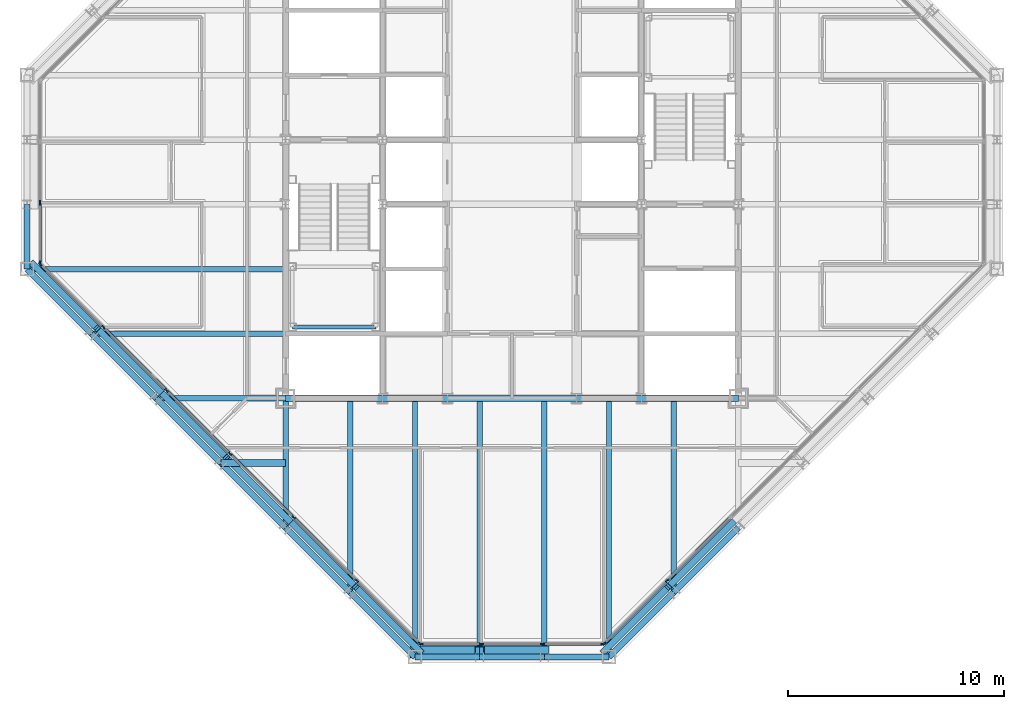
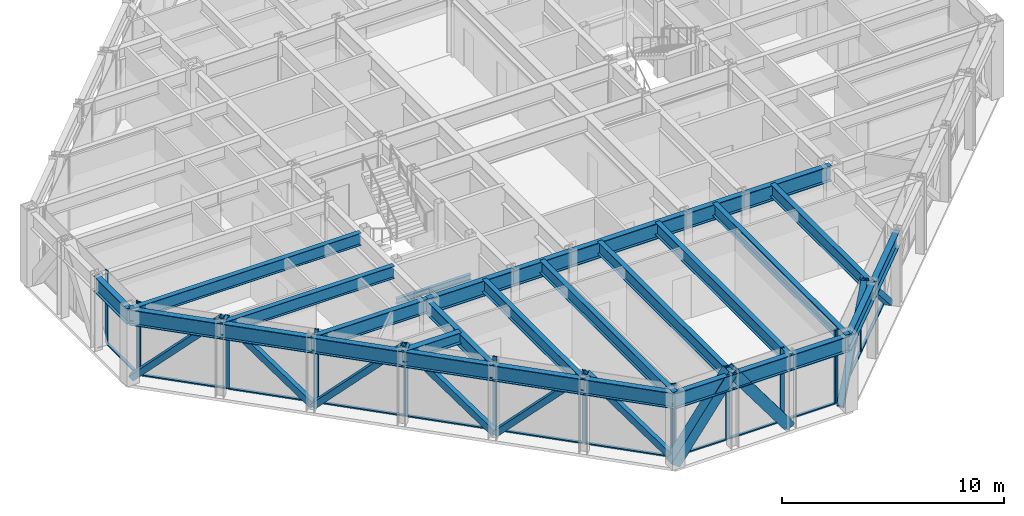
# One storey, part 5 of 15: 37 members, 29 beams, 4 elements without a shape of their own.
"""IFC4 building model written with IfcOpenShell, lengths in metres."""

from ifc_helpers import new_model, si_unit, direction, frame, origin, origin_2d, place, context, subcontext, project, spatial, rectangle, hollow_rectangle, i_section, extrude, material, layer, layer_set, material_profile, profile_set, type_object, element, aggregate, save


model = new_model("IFC4")

# Units and contexts
model_context = context("Model", 3, precision=1e-05, world=origin(), true_north=direction((0.0, 1.0)))
body_context = subcontext(model_context, "Body", "Model", "MODEL_VIEW")
ifc_project = project(units=[si_unit("LENGTHUNIT", "METRE"), si_unit("AREAUNIT", "SQUARE_METRE"), si_unit("VOLUMEUNIT", "CUBIC_METRE"), si_unit("PLANEANGLEUNIT", "RADIAN"), si_unit("MASSUNIT", "GRAM", prefix="KILO")], contexts=[model_context])

# Site, building, storey
site_placement = place(None, origin())
site = spatial("IfcSite", under=ifc_project, at=site_placement, CompositionType="ELEMENT")
building_placement = place(site_placement, origin())
building = spatial("IfcBuilding", under=site, at=building_placement, Name="Chuquiago Exchange Tower", CompositionType="ELEMENT")
storey_placement = place(building_placement, frame((0.0, 0.0, 291.60009765625)))
storey = spatial("IfcBuildingStorey", under=building, at=storey_placement, Name="L65", CompositionType="ELEMENT", Elevation=291.60009765625)

# Beams
ifc_material_1 = material(Name="Steel ASTM A992", Category="steel")
ifc_material_profile_1 = material_profile(ifc_material_1, i_section(OverallWidth=0.25390625, OverallDepth=0.683349609375, WebThickness=0.012451171875, FlangeThickness=0.018798828125, at=origin_2d()), Name="W27X94")
ifc_profile_set_1 = profile_set([ifc_material_profile_1], Name="Steel ASTM A992")
beam_type_1 = type_object("IfcBeamType", Name="B1 W27X94", PredefinedType="BEAM", material=ifc_profile_set_1)
beam_1_placement = place(storey_placement, frame((15.0, 12.0, 3.6982421875), z_axis=(0.0, -1.0, 0.0), x_axis=(1.0, 0.0, 0.0)))
element("IfcBeam", 1, at=beam_1_placement, inside=storey, type_object=beam_type_1, Name="FB-L66-infill-15_12-15_3-0", PredefinedType="BEAM", context=body_context, shape_type="SweptSolid", body=[
    extrude(i_section(OverallWidth=0.25390625, OverallDepth=0.683349609375, WebThickness=0.012451171875, FlangeThickness=0.018798828125, at=origin_2d()), origin(), (0.0, 0.0, 1.0), 9.0),
])
for number, where, z_axis, x_axis, name in (
    (2, (18.0, 12.0, 3.6982421875), (0.0, -1.0, 0.0), (1.0, 0.0, 0.0), "FB-L66-infill-18_12-18_-0-0"),
    (3, (21.0, 12.0, 3.6982421875), (0.0, -1.0, 0.0), (1.0, 0.0, 0.0), "FB-L66-infill-21_12-21_-0-0"),
    (4, (24.0, 12.0, 3.6982421875), (0.0, -1.0, 0.0), (1.0, 0.0, 0.0), "FB-L66-infill-24_12-24_-0-0"),
    (5, (27.0, 12.0, 3.6982421875), (0.0, -1.0, 0.0), (1.0, 0.0, 0.0), "FB-L66-infill-27_12-27_-0-0"),
):
    element("IfcBeam", number, at=place(storey_placement, frame(where, z_axis=z_axis, x_axis=x_axis)), inside=storey, type_object=beam_type_1, Name=name, PredefinedType="BEAM", context=body_context, shape_type="SweptSolid", body=[
        extrude(i_section(OverallWidth=0.25390625, OverallDepth=0.683349609375, WebThickness=0.012451171875, FlangeThickness=0.018798828125, at=origin_2d()), origin(), (0.0, 0.0, 1.0), 12.0),
    ])
for number, where, z_axis, x_axis, name in (
    (6, (30.0, 12.0, 3.6982421875), (0.0, -1.0, 0.0), (1.0, 0.0, 0.0), "FB-L66-infill-30_12-30_3-0"),
    (7, (12.0, 15.0, 3.6982421875), (-1.0, 0.0, 0.0), (0.0, -1.0, 0.0), "FB-L66-infill-12_15-3_15-0"),
):
    element("IfcBeam", number, at=place(storey_placement, frame(where, z_axis=z_axis, x_axis=x_axis)), inside=storey, type_object=beam_type_1, Name=name, PredefinedType="BEAM", context=body_context, shape_type="SweptSolid", body=[
        extrude(i_section(OverallWidth=0.25390625, OverallDepth=0.683349609375, WebThickness=0.012451171875, FlangeThickness=0.018798828125, at=origin_2d()), origin(), (0.0, 0.0, 1.0), 9.0),
    ])
beam_2_placement = place(storey_placement, frame((12.0, 18.0, 3.6982421875), z_axis=(-1.0, 0.0, 0.0), x_axis=(0.0, -1.0, 0.0)))
element("IfcBeam", 8, at=beam_2_placement, inside=storey, type_object=beam_type_1, Name="FB-L66-infill-12_18--0_18-0", PredefinedType="BEAM", context=body_context, shape_type="SweptSolid", body=[
    extrude(i_section(OverallWidth=0.25390625, OverallDepth=0.683349609375, WebThickness=0.012451171875, FlangeThickness=0.018798828125, at=origin_2d()), origin(), (0.0, 0.0, 1.0), 12.0),
])
ifc_material_2 = material(Name="Steel ASTM A992", Category="steel")
ifc_material_profile_2 = material_profile(ifc_material_2, i_section(OverallWidth=0.3251953125, OverallDepth=0.612060546875, WebThickness=0.0126953125, FlangeThickness=0.01904296875, at=origin_2d()), Name="W24X104")
ifc_profile_set_2 = profile_set([ifc_material_profile_2], Name="Steel ASTM A992")
beam_type_2 = type_object("IfcBeamType", Name="B2 W24X104", PredefinedType="BEAM", material=ifc_profile_set_2)
beam_3_placement = place(storey_placement, frame((12.0, 9.0, 3.73388671875), z_axis=(-1.0, 0.0, 0.0), x_axis=(0.0, -1.0, 0.0)))
element("IfcBeam", 9, at=beam_3_placement, inside=storey, type_object=beam_type_2, Name="FB-L66-corner-12_9-9_9-0", PredefinedType="BEAM", context=body_context, shape_type="SweptSolid", body=[
    extrude(i_section(OverallWidth=0.3251953125, OverallDepth=0.612060546875, WebThickness=0.0126953125, FlangeThickness=0.01904296875, at=origin_2d()), origin(), (0.0, 0.0, 1.0), 3.0),
])
ifc_material_3 = material(Name="Steel ASTM A992", Category="steel")
ifc_material_profile_3 = material_profile(ifc_material_3, i_section(OverallWidth=0.2919921875, OverallDepth=0.8583984375, WebThickness=0.01708984375, FlangeThickness=0.031005859375, at=origin_2d()), Name="W33X169")
ifc_profile_set_3 = profile_set([ifc_material_profile_3], Name="Steel ASTM A992")
beam_type_3 = type_object("IfcBeamType", Name="B3 W33X169", PredefinedType="BEAM", material=ifc_profile_set_3)
beam_4_placement = place(storey_placement, frame((12.0, 12.0, 3.610595703125), z_axis=(1.0, 0.0, 0.0), x_axis=(0.0, 1.0, 0.0)))
element("IfcBeam", 10, at=beam_4_placement, inside=storey, type_object=beam_type_3, Name="CB-L66-12_12-16.5_12", PredefinedType="BEAM", context=body_context, shape_type="SweptSolid", body=[
    extrude(i_section(OverallWidth=0.2919921875, OverallDepth=0.8583984375, WebThickness=0.01708984375, FlangeThickness=0.031005859375, at=origin_2d()), origin(), (0.0, 0.0, 1.0), 4.5),
])
beam_5_placement = place(storey_placement, frame((16.5, 12.0, 3.610595703125), z_axis=(1.0, 0.0, 0.0), x_axis=(0.0, 1.0, 0.0)))
element("IfcBeam", 11, at=beam_5_placement, inside=storey, type_object=beam_type_3, Name="CB-L66-16.5_12-19.5_12", PredefinedType="BEAM", context=body_context, shape_type="SweptSolid", body=[
    extrude(i_section(OverallWidth=0.2919921875, OverallDepth=0.8583984375, WebThickness=0.01708984375, FlangeThickness=0.031005859375, at=origin_2d()), origin(), (0.0, 0.0, 1.0), 3.0),
])
beam_6_placement = place(storey_placement, frame((19.5, 12.0, 3.610595703125), z_axis=(1.0, 0.0, 0.0), x_axis=(0.0, 1.0, 0.0)))
element("IfcBeam", 12, at=beam_6_placement, inside=storey, type_object=beam_type_3, Name="CB-L66-19.5_12-25.5_12", PredefinedType="BEAM", context=body_context, shape_type="SweptSolid", body=[
    extrude(i_section(OverallWidth=0.2919921875, OverallDepth=0.8583984375, WebThickness=0.01708984375, FlangeThickness=0.031005859375, at=origin_2d()), origin(), (0.0, 0.0, 1.0), 6.0),
])
beam_7_placement = place(storey_placement, frame((25.5, 12.0, 3.610595703125), z_axis=(1.0, 0.0, 0.0), x_axis=(0.0, 1.0, 0.0)))
element("IfcBeam", 13, at=beam_7_placement, inside=storey, type_object=beam_type_3, Name="CB-L66-25.5_12-28.5_12", PredefinedType="BEAM", context=body_context, shape_type="SweptSolid", body=[
    extrude(i_section(OverallWidth=0.2919921875, OverallDepth=0.8583984375, WebThickness=0.01708984375, FlangeThickness=0.031005859375, at=origin_2d()), origin(), (0.0, 0.0, 1.0), 3.0),
])
beam_8_placement = place(storey_placement, frame((28.5, 12.0, 3.610595703125), z_axis=(1.0, 0.0, 0.0), x_axis=(0.0, 1.0, 0.0)))
element("IfcBeam", 14, at=beam_8_placement, inside=storey, type_object=beam_type_3, Name="CB-L66-28.5_12-33_12", PredefinedType="BEAM", context=body_context, shape_type="SweptSolid", body=[
    extrude(i_section(OverallWidth=0.2919921875, OverallDepth=0.8583984375, WebThickness=0.01708984375, FlangeThickness=0.031005859375, at=origin_2d()), origin(), (0.0, 0.0, 1.0), 4.5),
])

# Curtain wall, members
ifc_material_4 = material(Name="Aluminium curtain wall system", Category="aluminium")
ifc_layer_1 = layer(ifc_material_4, 0.22509765625)
ifc_layer_set_1 = layer_set([ifc_layer_1], Name="CW2 office curtain wall")
curtain_wall_type_1 = type_object("IfcCurtainWallType", Name="CW2 office curtain wall", PredefinedType="NOTDEFINED", material=ifc_layer_set_1)
curtain_wall_1_placement = place(storey_placement, origin())
curtain_wall_1 = element("IfcCurtainWall", 15, at=curtain_wall_1_placement, inside=storey, type_object=curtain_wall_type_1, Name="CW2 curtain wall L65", PredefinedType="NOTDEFINED")
ifc_material_5 = material(Name="Aluminium mullion, pale anodised", Category="aluminium")
ifc_material_profile_4 = material_profile(ifc_material_5, rectangle(XDim=0.06494140625, YDim=0.22509765625, at=origin_2d()), Name="AL 65x225")
ifc_profile_set_4 = profile_set([ifc_material_profile_4], Name="Aluminium mullion, pale anodised")
member_type_1 = type_object("IfcMemberType", Name="CW2-M mullion 65x225", PredefinedType="MULLION", material=ifc_profile_set_4)
member_1_placement = place(storey_placement, frame((18.281005859375, 0.60009765625, 0.0), z_axis=(0.0, 0.0, 1.0), x_axis=(0.0, 1.0, 0.0)))
member_1 = element("IfcMember", 16, at=member_1_placement, type_object=member_type_1, Name="CW2 mullion 1", PredefinedType="MULLION", context=body_context, shape_type="SweptSolid", body=[
    extrude(rectangle(XDim=0.06494140625, YDim=0.22509765625, at=origin_2d()), origin(), (0.0, 0.0, 1.0), 4.039794921875),
])
member_2_placement = place(storey_placement, frame((21.082763671875, 0.60009765625, 0.0), z_axis=(0.0, 0.0, 1.0), x_axis=(0.0, 1.0, 0.0)))
member_2 = element("IfcMember", 17, at=member_2_placement, type_object=member_type_1, Name="CW2 mullion 2", PredefinedType="MULLION", context=body_context, shape_type="SweptSolid", body=[
    extrude(rectangle(XDim=0.06494140625, YDim=0.22509765625, at=origin_2d()), origin(), (0.0, 0.0, 1.0), 4.039794921875),
])
member_3_placement = place(storey_placement, frame((23.917236328125, 0.60009765625, 0.0), z_axis=(0.0, 0.0, 1.0), x_axis=(0.0, 1.0, 0.0)))
member_3 = element("IfcMember", 18, at=member_3_placement, type_object=member_type_1, Name="CW2 mullion 3", PredefinedType="MULLION", context=body_context, shape_type="SweptSolid", body=[
    extrude(rectangle(XDim=0.06494140625, YDim=0.22509765625, at=origin_2d()), origin(), (0.0, 0.0, 1.0), 4.039794921875),
])
member_4_placement = place(storey_placement, frame((26.718994140625, 0.60009765625, 0.0), z_axis=(0.0, 0.0, 1.0), x_axis=(0.0, 1.0, 0.0)))
member_4 = element("IfcMember", 19, at=member_4_placement, type_object=member_type_1, Name="CW2 mullion 4", PredefinedType="MULLION", context=body_context, shape_type="SweptSolid", body=[
    extrude(rectangle(XDim=0.06494140625, YDim=0.22509765625, at=origin_2d()), origin(), (0.0, 0.0, 1.0), 4.039794921875),
])

curtain_wall_2_placement = place(storey_placement, origin())
curtain_wall_2 = element("IfcCurtainWall", 20, at=curtain_wall_2_placement, inside=storey, type_object=curtain_wall_type_1, Name="CW2 curtain wall L65", PredefinedType="NOTDEFINED")
member_5_placement = place(storey_placement, frame((0.60009765625, 21.082763671875, 0.0), z_axis=(0.0, 0.0, 1.0), x_axis=(1.0, 0.0, 0.0)))
member_5 = element("IfcMember", 21, at=member_5_placement, type_object=member_type_1, Name="CW2 mullion 3", PredefinedType="MULLION", context=body_context, shape_type="SweptSolid", body=[
    extrude(rectangle(XDim=0.06494140625, YDim=0.22509765625, at=origin_2d()), origin(), (0.0, 0.0, 1.0), 4.039794921875),
])
member_6_placement = place(storey_placement, frame((0.60009765625, 18.281005859375, 0.0), z_axis=(0.0, 0.0, 1.0), x_axis=(1.0, 0.0, 0.0)))
member_6 = element("IfcMember", 22, at=member_6_placement, type_object=member_type_1, Name="CW2 mullion 4", PredefinedType="MULLION", context=body_context, shape_type="SweptSolid", body=[
    extrude(rectangle(XDim=0.06494140625, YDim=0.22509765625, at=origin_2d()), origin(), (0.0, 0.0, 1.0), 4.039794921875),
])

# Member
ifc_material_6 = material(Name="Aluminium transom, pale anodised", Category="aluminium")
ifc_material_profile_5 = material_profile(ifc_material_6, rectangle(XDim=0.139892578125, YDim=0.06494140625, at=origin_2d()), Name="AL 140x65")
ifc_profile_set_5 = profile_set([ifc_material_profile_5], Name="Aluminium transom, pale anodised")
member_type_2 = type_object("IfcMemberType", Name="CW2-T transom 65x140", PredefinedType="MULLION", material=ifc_profile_set_5)
member_7_placement = place(storey_placement, frame((18.3134765625, 0.60009765625, 0.032470703125), z_axis=(1.0, 0.0, 0.0), x_axis=(0.0, 1.0, 0.0)))
member_7 = element("IfcMember", 23, at=member_7_placement, type_object=member_type_2, Name="CW2 transom 1.1", PredefinedType="MULLION", context=body_context, shape_type="SweptSolid", body=[
    extrude(rectangle(XDim=0.139892578125, YDim=0.06494140625, at=origin_2d()), origin(), (0.0, 0.0, 1.0), 2.73681640625),
])

member_8_placement = place(storey_placement, frame((21.115234375, 0.60009765625, 0.032470703125), z_axis=(1.0, 0.0, 0.0), x_axis=(0.0, 1.0, 0.0)))
member_8 = element("IfcMember", 24, at=member_8_placement, type_object=member_type_2, Name="CW2 transom 2.1", PredefinedType="MULLION", context=body_context, shape_type="SweptSolid", body=[
    extrude(rectangle(XDim=0.139892578125, YDim=0.06494140625, at=origin_2d()), origin(), (0.0, 0.0, 1.0), 2.76953125),
])

member_9_placement = place(storey_placement, frame((23.94970703125, 0.60009765625, 0.032470703125), z_axis=(1.0, 0.0, 0.0), x_axis=(0.0, 1.0, 0.0)))
member_9 = element("IfcMember", 25, at=member_9_placement, type_object=member_type_2, Name="CW2 transom 3.1", PredefinedType="MULLION", context=body_context, shape_type="SweptSolid", body=[
    extrude(rectangle(XDim=0.139892578125, YDim=0.06494140625, at=origin_2d()), origin(), (0.0, 0.0, 1.0), 2.73681640625),
])

aggregate(curtain_wall_1, [member_1, member_2, member_3, member_4, member_7, member_8, member_9])

member_10_placement = place(storey_placement, frame((0.60009765625, 21.05029296875, 0.032470703125), z_axis=(0.0, -1.0, 0.0), x_axis=(1.0, 0.0, 0.0)))
member_10 = element("IfcMember", 26, at=member_10_placement, type_object=member_type_2, Name="CW2 transom 3.1", PredefinedType="MULLION", context=body_context, shape_type="SweptSolid", body=[
    extrude(rectangle(XDim=0.139892578125, YDim=0.06494140625, at=origin_2d()), origin(), (0.0, 0.0, 1.0), 2.73681640625),
])

aggregate(curtain_wall_2, [member_5, member_6, member_10])

# Curtain wall, members
ifc_material_7 = material(Name="Aluminium curtain wall system", Category="aluminium")
ifc_layer_2 = layer(ifc_material_7, 0.199951171875)
ifc_layer_set_2 = layer_set([ifc_layer_2], Name="CW3 facet curtain wall")
curtain_wall_type_2 = type_object("IfcCurtainWallType", Name="CW3 facet curtain wall", PredefinedType="NOTDEFINED", material=ifc_layer_set_2)
curtain_wall_3_placement = place(storey_placement, origin())
curtain_wall_3 = element("IfcCurtainWall", 27, at=curtain_wall_3_placement, inside=storey, type_object=curtain_wall_type_2, Name="CW3 curtain wall L65", PredefinedType="NOTDEFINED")
ifc_material_8 = material(Name="Aluminium mullion, pale anodised", Category="aluminium")
ifc_material_profile_6 = material_profile(ifc_material_8, rectangle(XDim=0.06494140625, YDim=0.199951171875, at=origin_2d()), Name="AL 65x200")
ifc_profile_set_6 = profile_set([ifc_material_profile_6], Name="Aluminium mullion, pale anodised")
member_type_3 = type_object("IfcMemberType", Name="CW3-M mullion 65x200", PredefinedType="MULLION", material=ifc_profile_set_6)
member_11_placement = place(storey_placement, frame((26.7744140625, 0.623046875, 0.0), z_axis=(0.0, 0.0, 1.0), x_axis=(-0.707106781187, 0.707106781187, 0.0)))
member_11 = element("IfcMember", 28, at=member_11_placement, type_object=member_type_3, Name="CW3 mullion 1", PredefinedType="MULLION", context=body_context, shape_type="SweptSolid", body=[
    extrude(rectangle(XDim=0.06494140625, YDim=0.199951171875, at=origin_2d()), origin(), (0.0, 0.0, 1.0), 4.039794921875),
])
member_12_placement = place(storey_placement, frame((29.69287109375, 3.54150390625, 0.0), z_axis=(0.0, 0.0, 1.0), x_axis=(-0.707106781187, 0.707106781187, 0.0)))
member_12 = element("IfcMember", 29, at=member_12_placement, type_object=member_type_3, Name="CW3 mullion 2", PredefinedType="MULLION", context=body_context, shape_type="SweptSolid", body=[
    extrude(rectangle(XDim=0.06494140625, YDim=0.199951171875, at=origin_2d()), origin(), (0.0, 0.0, 1.0), 4.039794921875),
])

curtain_wall_4_placement = place(storey_placement, origin())
curtain_wall_4 = element("IfcCurtainWall", 30, at=curtain_wall_4_placement, inside=storey, type_object=curtain_wall_type_2, Name="CW3 curtain wall L65", PredefinedType="NOTDEFINED")
member_13_placement = place(storey_placement, frame((0.623046875, 18.2255859375, 0.0), z_axis=(0.0, 0.0, 1.0), x_axis=(0.707106781187, 0.707106781187, 0.0)))
member_13 = element("IfcMember", 31, at=member_13_placement, type_object=member_type_3, Name="CW3 mullion 1", PredefinedType="MULLION", context=body_context, shape_type="SweptSolid", body=[
    extrude(rectangle(XDim=0.06494140625, YDim=0.199951171875, at=origin_2d()), origin(), (0.0, 0.0, 1.0), 4.039794921875),
])
member_14_placement = place(storey_placement, frame((3.54150390625, 15.30712890625, 0.0), z_axis=(0.0, 0.0, 1.0), x_axis=(0.707106781187, 0.707106781187, 0.0)))
member_14 = element("IfcMember", 32, at=member_14_placement, type_object=member_type_3, Name="CW3 mullion 2", PredefinedType="MULLION", context=body_context, shape_type="SweptSolid", body=[
    extrude(rectangle(XDim=0.06494140625, YDim=0.199951171875, at=origin_2d()), origin(), (0.0, 0.0, 1.0), 4.039794921875),
])
member_15_placement = place(storey_placement, frame((6.48291015625, 12.36572265625, 0.0), z_axis=(0.0, 0.0, 1.0), x_axis=(0.707106781187, 0.707106781187, 0.0)))
member_15 = element("IfcMember", 33, at=member_15_placement, type_object=member_type_3, Name="CW3 mullion 3", PredefinedType="MULLION", context=body_context, shape_type="SweptSolid", body=[
    extrude(rectangle(XDim=0.06494140625, YDim=0.199951171875, at=origin_2d()), origin(), (0.0, 0.0, 1.0), 4.039794921875),
])
member_16_placement = place(storey_placement, frame((9.42431640625, 9.42431640625, 0.0), z_axis=(0.0, 0.0, 1.0), x_axis=(0.707106781187, 0.707106781187, 0.0)))
member_16 = element("IfcMember", 34, at=member_16_placement, type_object=member_type_3, Name="CW3 mullion 4", PredefinedType="MULLION", context=body_context, shape_type="SweptSolid", body=[
    extrude(rectangle(XDim=0.06494140625, YDim=0.199951171875, at=origin_2d()), origin(), (0.0, 0.0, 1.0), 4.039794921875),
])
member_17_placement = place(storey_placement, frame((12.36572265625, 6.48291015625, 0.0), z_axis=(0.0, 0.0, 1.0), x_axis=(0.707106781187, 0.707106781187, 0.0)))
member_17 = element("IfcMember", 35, at=member_17_placement, type_object=member_type_3, Name="CW3 mullion 5", PredefinedType="MULLION", context=body_context, shape_type="SweptSolid", body=[
    extrude(rectangle(XDim=0.06494140625, YDim=0.199951171875, at=origin_2d()), origin(), (0.0, 0.0, 1.0), 4.039794921875),
])
member_18_placement = place(storey_placement, frame((15.30712890625, 3.54150390625, 0.0), z_axis=(0.0, 0.0, 1.0), x_axis=(0.707106781187, 0.707106781187, 0.0)))
member_18 = element("IfcMember", 36, at=member_18_placement, type_object=member_type_3, Name="CW3 mullion 6", PredefinedType="MULLION", context=body_context, shape_type="SweptSolid", body=[
    extrude(rectangle(XDim=0.06494140625, YDim=0.199951171875, at=origin_2d()), origin(), (0.0, 0.0, 1.0), 4.039794921875),
])
member_19_placement = place(storey_placement, frame((18.2255859375, 0.623046875, 0.0), z_axis=(0.0, 0.0, 1.0), x_axis=(0.707106781187, 0.707106781187, 0.0)))
member_19 = element("IfcMember", 37, at=member_19_placement, type_object=member_type_3, Name="CW3 mullion 7", PredefinedType="MULLION", context=body_context, shape_type="SweptSolid", body=[
    extrude(rectangle(XDim=0.06494140625, YDim=0.199951171875, at=origin_2d()), origin(), (0.0, 0.0, 1.0), 4.039794921875),
])

# Member
ifc_material_9 = material(Name="Aluminium transom, pale anodised", Category="aluminium")
ifc_material_profile_7 = material_profile(ifc_material_9, rectangle(XDim=0.139892578125, YDim=0.06494140625, at=origin_2d()), Name="AL 140x65")
ifc_profile_set_7 = profile_set([ifc_material_profile_7], Name="Aluminium transom, pale anodised")
member_type_4 = type_object("IfcMemberType", Name="CW3-T transom 65x140", PredefinedType="MULLION", material=ifc_profile_set_7)
member_20_placement = place(storey_placement, frame((26.79736328125, 0.64599609375, 0.032470703125), z_axis=(0.707106781187, 0.707106781187, 0.0), x_axis=(-0.707106781187, 0.707106781187, 0.0)))
member_20 = element("IfcMember", 38, at=member_20_placement, type_object=member_type_4, Name="CW3 transom 1.1", PredefinedType="MULLION", context=body_context, shape_type="SweptSolid", body=[
    extrude(rectangle(XDim=0.139892578125, YDim=0.06494140625, at=origin_2d()), origin(), (0.0, 0.0, 1.0), 4.0625),
])

member_21_placement = place(storey_placement, frame((29.7158203125, 3.564453125, 0.032470703125), z_axis=(0.707106781187, 0.707106781187, 0.0), x_axis=(-0.707106781187, 0.707106781187, 0.0)))
member_21 = element("IfcMember", 39, at=member_21_placement, type_object=member_type_4, Name="CW3 transom 2.1", PredefinedType="MULLION", context=body_context, shape_type="SweptSolid", body=[
    extrude(rectangle(XDim=0.139892578125, YDim=0.06494140625, at=origin_2d()), origin(), (0.0, 0.0, 1.0), 4.094970703125),
])

aggregate(curtain_wall_3, [member_11, member_12, member_20, member_21])

member_22_placement = place(storey_placement, frame((0.64599609375, 18.20263671875, 0.032470703125), z_axis=(0.707106781187, -0.707106781187, 0.0), x_axis=(0.707106781187, 0.707106781187, 0.0)))
member_22 = element("IfcMember", 40, at=member_22_placement, type_object=member_type_4, Name="CW3 transom 1.1", PredefinedType="MULLION", context=body_context, shape_type="SweptSolid", body=[
    extrude(rectangle(XDim=0.139892578125, YDim=0.06494140625, at=origin_2d()), origin(), (0.0, 0.0, 1.0), 4.0625),
])

member_23_placement = place(storey_placement, frame((3.564453125, 15.2841796875, 0.032470703125), z_axis=(0.707106781187, -0.707106781187, 0.0), x_axis=(0.707106781187, 0.707106781187, 0.0)))
member_23 = element("IfcMember", 41, at=member_23_placement, type_object=member_type_4, Name="CW3 transom 2.1", PredefinedType="MULLION", context=body_context, shape_type="SweptSolid", body=[
    extrude(rectangle(XDim=0.139892578125, YDim=0.06494140625, at=origin_2d()), origin(), (0.0, 0.0, 1.0), 4.094970703125),
])

member_24_placement = place(storey_placement, frame((6.505859375, 12.3427734375, 0.032470703125), z_axis=(0.707106781187, -0.707106781187, 0.0), x_axis=(0.707106781187, 0.707106781187, 0.0)))
member_24 = element("IfcMember", 42, at=member_24_placement, type_object=member_type_4, Name="CW3 transom 3.1", PredefinedType="MULLION", context=body_context, shape_type="SweptSolid", body=[
    extrude(rectangle(XDim=0.139892578125, YDim=0.06494140625, at=origin_2d()), origin(), (0.0, 0.0, 1.0), 4.094970703125),
])

member_25_placement = place(storey_placement, frame((9.447265625, 9.4013671875, 0.032470703125), z_axis=(0.707106781187, -0.707106781187, 0.0), x_axis=(0.707106781187, 0.707106781187, 0.0)))
member_25 = element("IfcMember", 43, at=member_25_placement, type_object=member_type_4, Name="CW3 transom 4.1", PredefinedType="MULLION", context=body_context, shape_type="SweptSolid", body=[
    extrude(rectangle(XDim=0.139892578125, YDim=0.06494140625, at=origin_2d()), origin(), (0.0, 0.0, 1.0), 4.094970703125),
])

member_26_placement = place(storey_placement, frame((12.388671875, 6.4599609375, 0.032470703125), z_axis=(0.707106781187, -0.707106781187, 0.0), x_axis=(0.707106781187, 0.707106781187, 0.0)))
member_26 = element("IfcMember", 44, at=member_26_placement, type_object=member_type_4, Name="CW3 transom 5.1", PredefinedType="MULLION", context=body_context, shape_type="SweptSolid", body=[
    extrude(rectangle(XDim=0.139892578125, YDim=0.06494140625, at=origin_2d()), origin(), (0.0, 0.0, 1.0), 4.094970703125),
])

member_27_placement = place(storey_placement, frame((15.330078125, 3.5185546875, 0.032470703125), z_axis=(0.707106781187, -0.707106781187, 0.0), x_axis=(0.707106781187, 0.707106781187, 0.0)))
member_27 = element("IfcMember", 45, at=member_27_placement, type_object=member_type_4, Name="CW3 transom 6.1", PredefinedType="MULLION", context=body_context, shape_type="SweptSolid", body=[
    extrude(rectangle(XDim=0.139892578125, YDim=0.06494140625, at=origin_2d()), origin(), (0.0, 0.0, 1.0), 4.0625),
])

aggregate(curtain_wall_4, [member_13, member_14, member_15, member_16, member_17, member_18, member_19, member_22, member_23, member_24, member_25, member_26, member_27])

# Beams
ifc_material_10 = material(Name="Steel ASTM A992", Category="steel")
ifc_material_profile_8 = material_profile(ifc_material_10, i_section(OverallWidth=0.2666015625, OverallDepth=0.76953125, WebThickness=0.015625, FlangeThickness=0.025390625, at=origin_2d()), Name="W30X132")
ifc_profile_set_8 = profile_set([ifc_material_profile_8], Name="Steel ASTM A992")
beam_type_4 = type_object("IfcBeamType", Name="G1 W30X132", PredefinedType="BEAM", material=ifc_profile_set_8)
for number, where, z_axis, x_axis, name in (
    (46, (12.0, 12.0, 3.655029296875), (0.0, -1.0, 0.0), (1.0, 0.0, 0.0), "FB-L66-girder-12_12-12_6-0"),
    (47, (12.0, 12.0, 3.655029296875), (-1.0, 0.0, 0.0), (0.0, -1.0, 0.0), "FB-L66-girder-12_12-6_12-0"),
):
    element("IfcBeam", number, at=place(storey_placement, frame(where, z_axis=z_axis, x_axis=x_axis)), inside=storey, type_object=beam_type_4, Name=name, PredefinedType="BEAM", context=body_context, shape_type="SweptSolid", body=[
        extrude(i_section(OverallWidth=0.2666015625, OverallDepth=0.76953125, WebThickness=0.015625, FlangeThickness=0.025390625, at=origin_2d()), origin(), (0.0, 0.0, 1.0), 6.0),
    ])

# Members
ifc_material_11 = material(Name="Steel ASTM A500 Grade C", Category="steel")
ifc_material_profile_9 = material_profile(ifc_material_11, hollow_rectangle(XDim=0.3046875, YDim=0.3046875, WallThickness=0.0146484375, at=origin_2d()), Name="HSS12X12X5/8")
ifc_profile_set_9 = profile_set([ifc_material_profile_9], Name="Steel ASTM A500 Grade C")
member_type_5 = type_object("IfcMemberType", Name="LB3 HSS12X12X5/8", PredefinedType="BRACE", material=ifc_profile_set_9)
for number, where, z_axis, x_axis, name in (
    (48, (26.750732421875, 0.249267578125, 0.0), (0.51209198167, 0.51209198167, 0.689582195694), (-0.707106781187, 0.707106781187, 0.0), "LB-L65-27_0-30_3"),
    (49, (32.750732421875, 6.249267578125, 0.0), (-0.51209198167, -0.51209198167, 0.689582195694), (0.707106781187, -0.707106781187, 0.0), "LB-L65-30_3-33_6"),
    (50, (0.249267578125, 18.249267578125, 0.0), (0.51209198167, -0.51209198167, 0.689582195694), (0.707106781187, 0.707106781187, 0.0), "LB-L65-0_18-3_15"),
    (51, (6.249267578125, 12.249267578125, 0.0), (-0.51209198167, 0.51209198167, 0.689582195694), (-0.707106781187, -0.707106781187, 0.0), "LB-L65-3_15-6_12"),
    (52, (6.249267578125, 12.249267578125, 0.0), (0.51209198167, -0.51209198167, 0.689582195694), (0.707106781187, 0.707106781187, 0.0), "LB-L65-6_12-9_9"),
    (53, (12.249267578125, 6.249267578125, 0.0), (-0.51209198167, 0.51209198167, 0.689582195694), (-0.707106781187, -0.707106781187, 0.0), "LB-L65-9_9-12_6"),
    (54, (12.249267578125, 6.249267578125, 0.0), (0.51209198167, -0.51209198167, 0.689582195694), (0.707106781187, 0.707106781187, 0.0), "LB-L65-12_6-15_3"),
    (55, (18.249267578125, 0.249267578125, 0.0), (-0.51209198167, 0.51209198167, 0.689582195694), (-0.707106781187, -0.707106781187, 0.0), "LB-L65-15_3-18_0"),
):
    element("IfcMember", number, at=place(storey_placement, frame(where, z_axis=z_axis, x_axis=x_axis)), inside=storey, type_object=member_type_5, Name=name, PredefinedType="BRACE", context=body_context, shape_type="SweptSolid", body=[
        extrude(hollow_rectangle(XDim=0.3046875, YDim=0.3046875, WallThickness=0.0146484375, at=origin_2d()), origin(), (0.0, 0.0, 1.0), 5.8583984375),
    ])

# Beam
ifc_material_12 = material(Name="Steel ASTM A992", Category="steel")
ifc_material_profile_10 = material_profile(ifc_material_12, i_section(OverallWidth=0.164794921875, OverallDepth=0.309814453125, WebThickness=0.005859375, FlangeThickness=0.009765625, at=origin_2d()), Name="W12X26")
ifc_profile_set_10 = profile_set([ifc_material_profile_10], Name="Steel ASTM A992")
beam_type_5 = type_object("IfcBeamType", Name="LT1 W12X26", PredefinedType="BEAM", material=ifc_profile_set_10)
beam_9_placement = place(storey_placement, frame((12.31005859375, 15.31005859375, 1.7451171875), z_axis=(1.0, 0.0, 0.0), x_axis=(0.0, 1.0, 0.0)))
element("IfcBeam", 56, at=beam_9_placement, inside=storey, type_object=beam_type_5, Name="Stair ST1 L65 landing 1 trimmer", PredefinedType="BEAM", context=body_context, shape_type="SweptSolid", body=[
    extrude(i_section(OverallWidth=0.164794921875, OverallDepth=0.309814453125, WebThickness=0.005859375, FlangeThickness=0.009765625, at=origin_2d()), origin(), (0.0, 0.0, 1.0), 3.8798828125),
])

# Members
ifc_material_13 = material(Name="Steel ASTM A572 Grade 50", Category="steel")
ifc_material_profile_11 = material_profile(ifc_material_13, hollow_rectangle(XDim=0.550048828125, YDim=0.550048828125, WallThickness=0.044921875, at=origin_2d()), Name="BOX550X550X45")
ifc_profile_set_11 = profile_set([ifc_material_profile_11], Name="Steel ASTM A572 Grade 50")
member_type_6 = type_object("IfcMemberType", Name="MB4 BOX550X550X45", PredefinedType="BRACE", material=ifc_profile_set_11)
for number, where, z_axis, x_axis, name in (
    (57, (18.0, 0.22998046875, 0.0), (0.596197146086, 0.0, 0.802838067732), (0.0, 1.0, 0.0), "Mega diagonal L65 S face"),
    (58, (24.0, 0.22998046875, 0.0), (-0.596197146086, 0.0, 0.802838067732), (0.0, -1.0, 0.0), "Mega diagonal L65 S face"),
):
    element("IfcMember", number, at=place(storey_placement, frame(where, z_axis=z_axis, x_axis=x_axis)), inside=storey, type_object=member_type_6, Name=name, PredefinedType="BRACE", context=body_context, shape_type="SweptSolid", body=[
        extrude(hollow_rectangle(XDim=0.550048828125, YDim=0.550048828125, WallThickness=0.044921875, at=origin_2d()), origin(), (0.0, 0.0, 1.0), 5.031982421875),
    ])

# Beams
ifc_material_14 = material(Name="Steel ASTM A992", Category="steel")
ifc_material_profile_12 = material_profile(ifc_material_14, i_section(OverallWidth=0.2919921875, OverallDepth=0.8583984375, WebThickness=0.01708984375, FlangeThickness=0.031005859375, at=origin_2d()), Name="W33X169")
ifc_profile_set_12 = profile_set([ifc_material_profile_12], Name="Steel ASTM A992")
beam_type_6 = type_object("IfcBeamType", Name="SP4 W33X169", PredefinedType="SPANDREL", material=ifc_profile_set_12)
for number, where, z_axis, x_axis, name in (
    (59, (18.0, 0.0, 3.610595703125), (1.0, 0.0, 0.0), (0.0, 1.0, 0.0), "SPB-L66-18_0-21_0"),
    (60, (21.0, 0.0, 3.610595703125), (1.0, 0.0, 0.0), (0.0, 1.0, 0.0), "SPB-L66-21_0-24_0"),
    (61, (24.0, 0.0, 3.610595703125), (1.0, 0.0, 0.0), (0.0, 1.0, 0.0), "SPB-L66-24_0-27_0"),
):
    element("IfcBeam", number, at=place(storey_placement, frame(where, z_axis=z_axis, x_axis=x_axis)), inside=storey, type_object=beam_type_6, Name=name, PredefinedType="SPANDREL", context=body_context, shape_type="SweptSolid", body=[
        extrude(i_section(OverallWidth=0.2919921875, OverallDepth=0.8583984375, WebThickness=0.01708984375, FlangeThickness=0.031005859375, at=origin_2d()), origin(), (0.0, 0.0, 1.0), 3.0),
    ])
for number, where, z_axis, x_axis, name in (
    (62, (27.0, 0.0, 3.610595703125), (0.707106781187, 0.707106781187, 0.0), (-0.707106781187, 0.707106781187, 0.0), "SPB-L66-27_0-30_3"),
    (63, (30.0, 3.0, 3.610595703125), (0.707106781187, 0.707106781187, 0.0), (-0.707106781187, 0.707106781187, 0.0), "SPB-L66-30_3-33_6"),
):
    element("IfcBeam", number, at=place(storey_placement, frame(where, z_axis=z_axis, x_axis=x_axis)), inside=storey, type_object=beam_type_6, Name=name, PredefinedType="SPANDREL", context=body_context, shape_type="SweptSolid", body=[
        extrude(i_section(OverallWidth=0.2919921875, OverallDepth=0.8583984375, WebThickness=0.01708984375, FlangeThickness=0.031005859375, at=origin_2d()), origin(), (0.0, 0.0, 1.0), 4.24267578125),
    ])
beam_10_placement = place(storey_placement, frame((0.0, 21.0, 3.610595703125), z_axis=(0.0, -1.0, 0.0), x_axis=(1.0, 0.0, 0.0)))
element("IfcBeam", 64, at=beam_10_placement, inside=storey, type_object=beam_type_6, Name="SPB-L66-0_21-0_18", PredefinedType="SPANDREL", context=body_context, shape_type="SweptSolid", body=[
    extrude(i_section(OverallWidth=0.2919921875, OverallDepth=0.8583984375, WebThickness=0.01708984375, FlangeThickness=0.031005859375, at=origin_2d()), origin(), (0.0, 0.0, 1.0), 3.0),
])
for number, where, z_axis, x_axis, name in (
    (65, (0.0, 18.0, 3.610595703125), (0.707106781187, -0.707106781187, 0.0), (0.707106781187, 0.707106781187, 0.0), "SPB-L66-0_18-3_15"),
    (66, (3.0, 15.0, 3.610595703125), (0.707106781187, -0.707106781187, 0.0), (0.707106781187, 0.707106781187, 0.0), "SPB-L66-3_15-6_12"),
    (67, (6.0, 12.0, 3.610595703125), (0.707106781187, -0.707106781187, 0.0), (0.707106781187, 0.707106781187, 0.0), "SPB-L66-6_12-9_9"),
    (68, (9.0, 9.0, 3.610595703125), (0.707106781187, -0.707106781187, 0.0), (0.707106781187, 0.707106781187, 0.0), "SPB-L66-9_9-12_6"),
    (69, (12.0, 6.0, 3.610595703125), (0.707106781187, -0.707106781187, 0.0), (0.707106781187, 0.707106781187, 0.0), "SPB-L66-12_6-15_3"),
    (70, (15.0, 3.0, 3.610595703125), (0.707106781187, -0.707106781187, 0.0), (0.707106781187, 0.707106781187, 0.0), "SPB-L66-15_3-18_0"),
):
    element("IfcBeam", number, at=place(storey_placement, frame(where, z_axis=z_axis, x_axis=x_axis)), inside=storey, type_object=beam_type_6, Name=name, PredefinedType="SPANDREL", context=body_context, shape_type="SweptSolid", body=[
        extrude(i_section(OverallWidth=0.2919921875, OverallDepth=0.8583984375, WebThickness=0.01708984375, FlangeThickness=0.031005859375, at=origin_2d()), origin(), (0.0, 0.0, 1.0), 4.24267578125),
    ])

save(model, "model.ifc")
